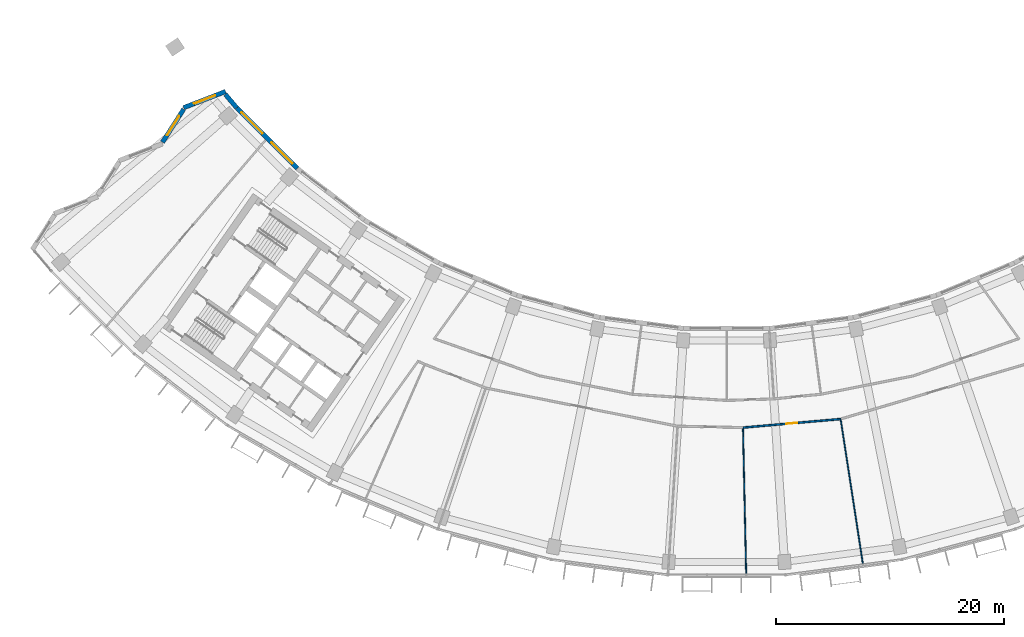
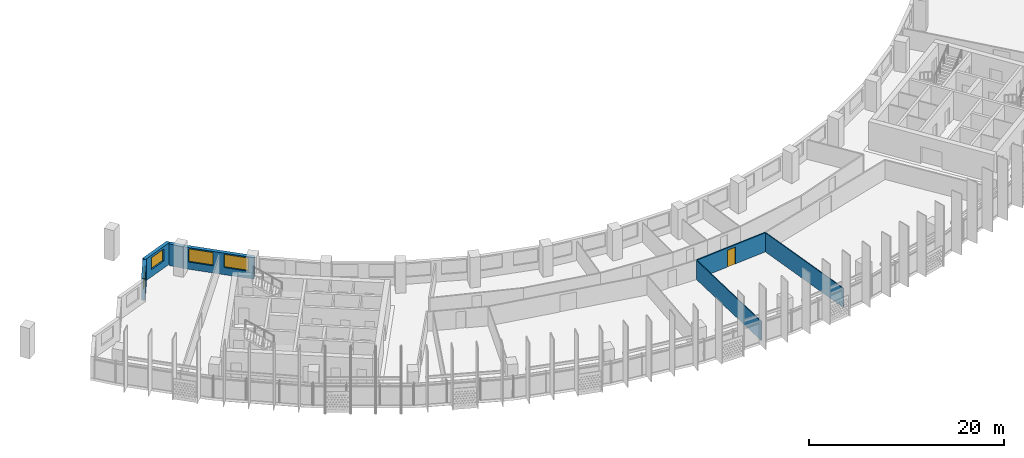
# One storey, part 5 of 27: 7 walls, 4 windows, 1 door, 5 openings.
"""IFC4 building model written with IfcOpenShell, lengths in metres."""

from ifc_helpers import new_model, si_unit, direction, frame, frame_2d, origin, place, context, subcontext, project, spatial, rectangle, extrude, material, layer, layer_set, type_object, element, fill, save


model = new_model("IFC4")

# Units and contexts
model_context = context("Model", 3, precision=1e-05, world=origin(), true_north=direction((0.0, 1.0)))
body_context = subcontext(model_context, "Body", "Model", "MODEL_VIEW")
ifc_project = project(units=[si_unit("LENGTHUNIT", "METRE"), si_unit("AREAUNIT", "SQUARE_METRE"), si_unit("VOLUMEUNIT", "CUBIC_METRE"), si_unit("PLANEANGLEUNIT", "RADIAN"), si_unit("MASSUNIT", "GRAM", prefix="KILO")], contexts=[model_context])

# Site, building, storey
site_placement = place(None, origin())
site = spatial("IfcSite", under=ifc_project, at=site_placement, CompositionType="ELEMENT")
building_placement = place(site_placement, origin())
building = spatial("IfcBuilding", under=site, at=building_placement, Name="Qamariyya Broadcast Tower", CompositionType="ELEMENT")
storey_placement = place(building_placement, frame((0.0, 0.0, 172.10009765625)))
storey = spatial("IfcBuildingStorey", under=building, at=storey_placement, Name="L40", CompositionType="ELEMENT", Elevation=172.10009765625)

# Wall, opening, door
ifc_material_1 = material(Name="Gypsum board partition")
ifc_layer_1 = layer(ifc_material_1, 0.14990234375)
ifc_layer_set_1 = layer_set([ifc_layer_1], Name="Corridor partition 150 EI 60")
wall_type_1 = type_object("IfcWallType", Name="Corridor partition 150 EI 60", PredefinedType="PARTITIONING", material=ifc_layer_set_1)
wall_1_placement = place(storey_placement, frame((10.011474609375, -65.033935546875, 0.0), z_axis=(0.0, 0.0, 1.0), x_axis=(-0.996193717496, -0.087166950281, 0.0)))
wall_1 = element("IfcWall", 1, at=wall_1_placement, inside=storey, type_object=wall_type_1, Name="Partition L40-017", PredefinedType="PARTITIONING", context=body_context, shape_type="SweptSolid", body=[
    extrude(rectangle(XDim=8.60693359375, YDim=0.14990234375, at=frame_2d((4.303466796875, 0.0))), origin(), (0.0, 0.0, 1.0), 2.39990234375),
])
opening_1_placement = place(wall_1_placement, frame((3.803466796875, 0.0, 0.0)))
opening_1 = element("IfcOpeningElement", 2, at=opening_1_placement, cuts=wall_1, Name="Opening L40-D05", PredefinedType="OPENING", context=body_context, shape_type="SweptSolid", body=[
    extrude(rectangle(XDim=1.0, YDim=2.10009765625, at=frame_2d((0.5, 1.050048828125))), frame((0.0, 0.0849609375, 0.0), z_axis=(0.0, -1.0, 0.0), x_axis=(1.0, 0.0, 0.0)), (0.0, 0.0, 1.0), 0.169921875),
])
ifc_material_2 = material(Name="Timber fire door leaf", Category="wood")
door_type = type_object("IfcDoorType", Name="Fire door 1000 x 2100 FD60", OperationType="NOTDEFINED", PredefinedType="DOOR", material=ifc_material_2)
door_placement = place(opening_1_placement, origin())
door = element("IfcDoor", 3, at=door_placement, inside=storey, type_object=door_type, Name="Door L40-D05", OperationType="SINGLE_SWING_RIGHT", OverallHeight=2.10009765625, OverallWidth=1.0, PredefinedType="DOOR", context=body_context, shape_type="SweptSolid", body=[
    extrude(rectangle(XDim=1.0, YDim=2.10009765625, at=frame_2d((0.5, 1.050048828125))), frame((0.0, 0.02490234375, 0.0), z_axis=(0.0, -1.0, 0.0), x_axis=(1.0, 0.0, 0.0)), (0.0, 0.0, 1.0), 0.050048828125),
])
fill(opening_1, door)

# Walls
ifc_layer_2 = layer(ifc_material_1, 0.10009765625)
ifc_layer_set_2 = layer_set([ifc_layer_2], Name="Partition 100")
wall_type_2 = type_object("IfcWallType", Name="Partition 100", PredefinedType="PARTITIONING", material=ifc_layer_set_2)
for number, where, z_axis, x_axis, name in (
    (4, (1.718017578125, -78.630859375, 0.0), (0.0, 0.0, 1.0), (-0.021844457465, 0.99976138137, 0.0), "Partition L40-018"),
    (5, (11.966552734375, -77.73388671875, 0.0), (0.0, 0.0, 1.0), (-0.152147660046, 0.988357774059, 0.0), "Partition L40-024"),
):
    element("IfcWall", number, at=place(storey_placement, frame(where, z_axis=z_axis, x_axis=x_axis)), inside=storey, type_object=wall_type_2, Name=name, PredefinedType="PARTITIONING", context=body_context, shape_type="SweptSolid", body=[
        extrude(rectangle(XDim=12.7744140625, YDim=0.10009765625, at=frame_2d((6.38720703125, 0.0))), origin(), (0.0, 0.0, 1.0), 2.39990234375),
    ])

# Wall, opening, window
ifc_material_3 = material(Name="Terracotta", Category="masonry")
ifc_layer_3 = layer(ifc_material_3, 0.39990234375)
ifc_layer_set_3 = layer_set([ifc_layer_3], Name="Terracotta clad wall 400")
wall_type_3 = type_object("IfcWallType", Name="Terracotta clad wall 400", PredefinedType="SOLIDWALL", material=ifc_layer_set_3)
wall_2_placement = place(storey_placement, frame((-43.99755859375, -36.265625, 0.0), z_axis=(0.0, 0.0, 1.0), x_axis=(-0.932857166953, -0.360246451841, 0.0)))
wall_2 = element("IfcWall", 6, at=wall_2_placement, inside=storey, type_object=wall_type_3, Name="e-wl-L40-capW0", PredefinedType="SOLIDWALL", context=body_context, shape_type="SweptSolid", body=[
    extrude(rectangle(XDim=3.948974609375, YDim=0.39990234375, at=frame_2d((1.974609375, 0.0))), origin(), (0.0, 0.0, 1.0), 2.699951171875),
])
opening_2_placement = place(wall_2_placement, frame((0.974609375, 0.0, 0.89990234375)))
opening_2 = element("IfcOpeningElement", 7, at=opening_2_placement, cuts=wall_2, Name="Opening W4", PredefinedType="OPENING", context=body_context, shape_type="SweptSolid", body=[
    extrude(rectangle(XDim=2.0, YDim=1.5, at=frame_2d((1.0, 0.75))), frame((0.0, 0.2099609375, 0.0), z_axis=(0.0, -1.0, 0.0), x_axis=(1.0, 0.0, 0.0)), (0.0, 0.0, 1.0), 0.419921875),
])
ifc_material_4 = material(Name="Clear low-e double glazed unit in aluminium frame", Category="aluminium")
window_type_1 = type_object("IfcWindowType", Name="Horn bay window 2000 x 1500", PartitioningType="SINGLE_PANEL", PredefinedType="WINDOW", material=ifc_material_4)
window_1_placement = place(opening_2_placement, origin())
window_1 = element("IfcWindow", 8, at=window_1_placement, inside=storey, type_object=window_type_1, Name="e-w-L40-capW0", OverallHeight=1.5, OverallWidth=2.0, PartitioningType="SINGLE_PANEL", PredefinedType="WINDOW", context=body_context, shape_type="SweptSolid", body=[
    extrude(rectangle(XDim=2.0, YDim=1.5, at=frame_2d((1.0, 0.75))), frame((0.0, 0.030029296875, 0.0), z_axis=(0.0, -1.0, 0.0), x_axis=(1.0, 0.0, 0.0)), (0.0, 0.0, 1.0), 0.06005859375),
])
fill(opening_2, window_1)

wall_3_placement = place(storey_placement, frame((-47.685302734375, -37.825927734375, 0.0), z_axis=(0.0, 0.0, 1.0), x_axis=(-0.539408119641, -0.842044464661, 0.0)))
wall_3 = element("IfcWall", 9, at=wall_3_placement, inside=storey, type_object=wall_type_3, Name="e-wl-L40-capW1", PredefinedType="SOLIDWALL", context=body_context, shape_type="SweptSolid", body=[
    extrude(rectangle(XDim=3.43994140625, YDim=0.39990234375, at=frame_2d((1.719970703125, 0.0))), origin(), (0.0, 0.0, 1.0), 2.699951171875),
])
opening_3_placement = place(wall_3_placement, frame((0.719970703125, 0.0, 0.89990234375)))
opening_3 = element("IfcOpeningElement", 10, at=opening_3_placement, cuts=wall_3, Name="Opening W4", PredefinedType="OPENING", context=body_context, shape_type="SweptSolid", body=[
    extrude(rectangle(XDim=2.0, YDim=1.5, at=frame_2d((1.0, 0.75))), frame((0.0, 0.2099609375, 0.0), z_axis=(0.0, -1.0, 0.0), x_axis=(1.0, 0.0, 0.0)), (0.0, 0.0, 1.0), 0.419921875),
])
window_2_placement = place(opening_3_placement, origin())
window_2 = element("IfcWindow", 11, at=window_2_placement, inside=storey, type_object=window_type_1, Name="e-w-L40-capW1", OverallHeight=1.5, OverallWidth=2.0, PartitioningType="SINGLE_PANEL", PredefinedType="WINDOW", context=body_context, shape_type="SweptSolid", body=[
    extrude(rectangle(XDim=2.0, YDim=1.5, at=frame_2d((1.0, 0.75))), frame((0.0, 0.030029296875, 0.0), z_axis=(0.0, -1.0, 0.0), x_axis=(1.0, 0.0, 0.0)), (0.0, 0.0, 1.0), 0.06005859375),
])
fill(opening_3, window_2)

# Wall
wall_4_placement = place(storey_placement, frame((-43.0224609375, -37.6943359375, 0.0), z_axis=(0.0, 0.0, 1.0), x_axis=(-0.646356579596, 0.763035498527, 0.0)))
element("IfcWall", 12, at=wall_4_placement, inside=storey, type_object=wall_type_3, Name="e-wl-L40-in00", PredefinedType="SOLIDWALL", context=body_context, shape_type="SweptSolid", body=[
    extrude(rectangle(XDim=1.53173828125, YDim=0.39990234375, at=frame_2d((0.765869140625, 0.0))), origin(), (0.0, 0.0, 1.0), 2.699951171875),
])

# Wall, openings, windows
wall_5_placement = place(storey_placement, frame((-37.697265625, -43.023193359375, 0.0), z_axis=(0.0, 0.0, 1.0), x_axis=(-0.707106781187, 0.707106781187, 0.0)))
wall_5 = element("IfcWall", 13, at=wall_5_placement, inside=storey, type_object=wall_type_3, Name="e-wl-L40-in10", PredefinedType="SOLIDWALL", context=body_context, shape_type="SweptSolid", body=[
    extrude(rectangle(XDim=7.51708984375, YDim=0.39990234375, at=frame_2d((3.758544921875, 0.0))), origin(), (0.0, 0.0, 1.0), 2.699951171875),
])
opening_4_placement = place(wall_5_placement, frame((4.330078125, 0.0, 0.89990234375)))
opening_4 = element("IfcOpeningElement", 14, at=opening_4_placement, cuts=wall_5, Name="Opening W1", PredefinedType="OPENING", context=body_context, shape_type="SweptSolid", body=[
    extrude(rectangle(XDim=2.60009765625, YDim=1.64990234375, at=frame_2d((1.300048828125, 0.824951171875))), frame((0.0, 0.2099609375, 0.0), z_axis=(0.0, -1.0, 0.0), x_axis=(1.0, 0.0, 0.0)), (0.0, 0.0, 1.0), 0.419921875),
])
opening_5_placement = place(wall_5_placement, frame((0.60205078125, 0.0, 0.89990234375)))
opening_5 = element("IfcOpeningElement", 15, at=opening_5_placement, cuts=wall_5, Name="Opening W1", PredefinedType="OPENING", context=body_context, shape_type="SweptSolid", body=[
    extrude(rectangle(XDim=2.60009765625, YDim=1.64990234375, at=frame_2d((1.300048828125, 0.824951171875))), frame((0.0, 0.2099609375, 0.0), z_axis=(0.0, -1.0, 0.0), x_axis=(1.0, 0.0, 0.0)), (0.0, 0.0, 1.0), 0.419921875),
])
window_type_2 = type_object("IfcWindowType", Name="Ribbon window 2600 x 1650", PartitioningType="SINGLE_PANEL", PredefinedType="WINDOW", material=ifc_material_4)
window_3_placement = place(opening_4_placement, origin())
window_3 = element("IfcWindow", 16, at=window_3_placement, inside=storey, type_object=window_type_2, Name="e-w-L40-in01-0", OverallHeight=1.64990234375, OverallWidth=2.60009765625, PartitioningType="SINGLE_PANEL", PredefinedType="WINDOW", context=body_context, shape_type="SweptSolid", body=[
    extrude(rectangle(XDim=2.60009765625, YDim=1.64990234375, at=frame_2d((1.300048828125, 0.824951171875))), frame((0.0, 0.030029296875, 0.0), z_axis=(0.0, -1.0, 0.0), x_axis=(1.0, 0.0, 0.0)), (0.0, 0.0, 1.0), 0.06005859375),
])
fill(opening_4, window_3)
window_4_placement = place(opening_5_placement, origin())
window_4 = element("IfcWindow", 17, at=window_4_placement, inside=storey, type_object=window_type_2, Name="e-w-L40-in01-1", OverallHeight=1.64990234375, OverallWidth=2.60009765625, PartitioningType="SINGLE_PANEL", PredefinedType="WINDOW", context=body_context, shape_type="SweptSolid", body=[
    extrude(rectangle(XDim=2.60009765625, YDim=1.64990234375, at=frame_2d((1.300048828125, 0.824951171875))), frame((0.0, 0.030029296875, 0.0), z_axis=(0.0, -1.0, 0.0), x_axis=(1.0, 0.0, 0.0)), (0.0, 0.0, 1.0), 0.06005859375),
])
fill(opening_5, window_4)

save(model, "model.ifc")
